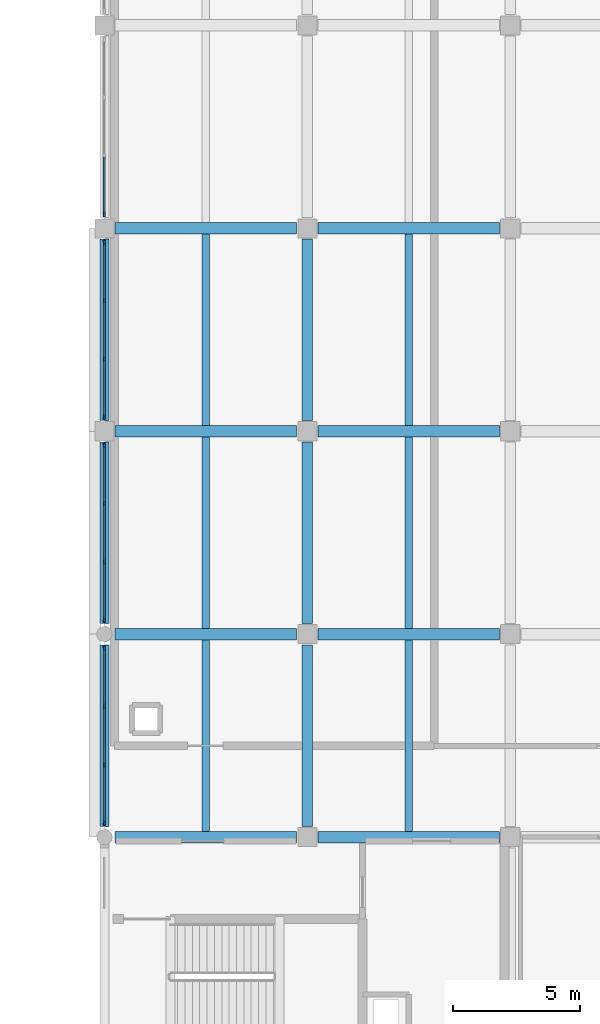
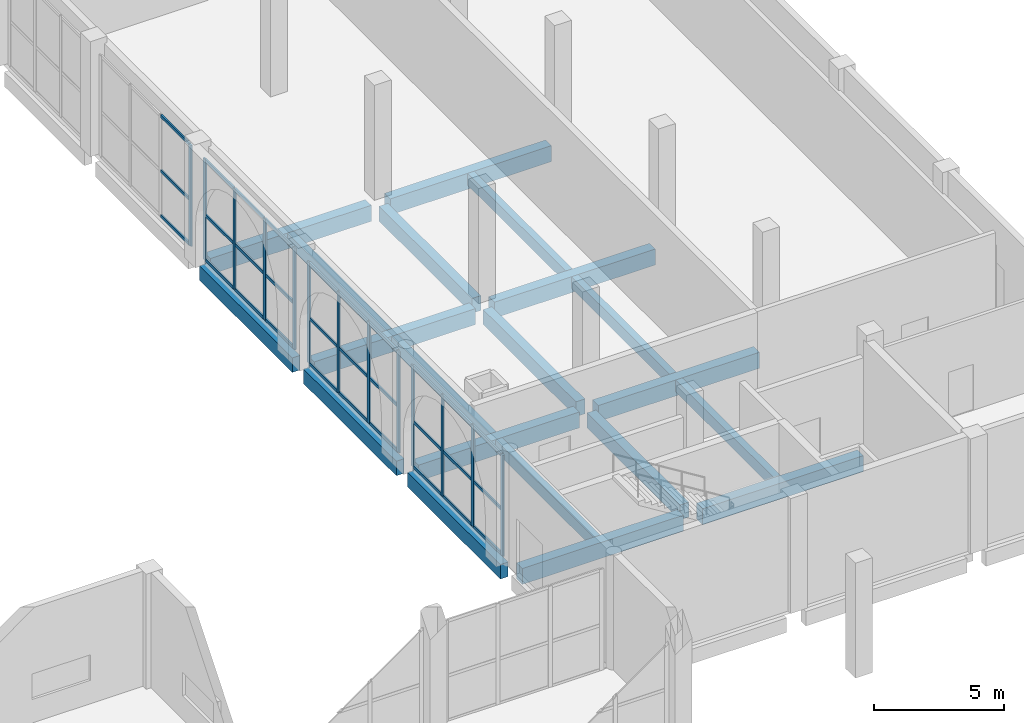
# One storey, part 9 of 40: 43 members, 20 beams, 4 elements without a shape of their own.
"""IFC4 building model written with IfcOpenShell, lengths in metres."""

import ifcopenshell
import ifcopenshell.guid

model = None  # the IFC model being written
_history = None  # IfcOwnerHistory: only IFC2X3 demands one
_inside = {}  # id of a spatial element -> (the spatial element, [elements in it])
_under = {}  # id of a project, library or spatial element -> (it, [spatial elements below it])
_declared = {}  # id of a project -> (the project, [libraries it declares])
_typed = {}  # id of a type object -> (the type object, [elements of that type])
_made_of = {}  # id of a material, layer set ... -> (it, [elements and type objects made of it])


def new_model(schema):
    """Start an empty IFC model of exactly this schema.

    Asked for "IFC4X3", IfcOpenShell would pick the latest addendum, in which some entities
    have other attributes; the version numbers below select the first issue.
    IFC2X3 requires an IfcOwnerHistory on every rooted entity: one is made here for all.
    """
    global model, _history
    if schema == "IFC4X3":
        model = ifcopenshell.file(schema_version=(4, 3, 0, 0))
    else:
        model = ifcopenshell.file(schema=schema)
    _inside.clear()
    _under.clear()
    _declared.clear()
    _typed.clear()
    _made_of.clear()
    _history = None
    if model.schema == "IFC2X3":
        org = make("IfcOrganization", Name="unknown")
        user = make(
            "IfcPersonAndOrganization",
            ThePerson=make("IfcPerson", FamilyName="unknown"),
            TheOrganization=org,
        )
        app = make(
            "IfcApplication",
            ApplicationDeveloper=org,
            Version="unknown",
            ApplicationFullName="unknown",
            ApplicationIdentifier="unknown",
        )
        _history = make(
            "IfcOwnerHistory",
            OwningUser=user,
            OwningApplication=app,
            ChangeAction="ADDED",
            CreationDate=0,
        )
    return model


def make(cls, **values):
    """One entity of the class cls with the attributes given. An attribute that is None is left unset."""
    return model.create_entity(
        cls, **{name: value for name, value in values.items() if value is not None}
    )


def rooted(cls, **values):
    """An entity with a GlobalId (a new one), such as an element, a storey or a relation."""
    return make(cls, GlobalId=ifcopenshell.guid.new(), OwnerHistory=_history, **values)


def si_unit(unit_type, name, prefix=None):
    """IfcSIUnit, for example si_unit("LENGTHUNIT", "METRE", prefix="MILLI")."""
    return make("IfcSIUnit", UnitType=unit_type, Prefix=prefix, Name=name)


def assignment(units):
    """IfcUnitAssignment: the units of a project."""
    return None if units is None else make("IfcUnitAssignment", Units=units)


def point(xyz):
    """IfcCartesianPoint."""
    return None if xyz is None else make("IfcCartesianPoint", Coordinates=xyz)


def direction(xyz):
    """IfcDirection."""
    return None if xyz is None else make("IfcDirection", DirectionRatios=xyz)


def frame(location, z_axis=None, x_axis=None):
    """IfcAxis2Placement3D, a coordinate frame: its origin and axes. An axis left out is left unset."""
    return make(
        "IfcAxis2Placement3D",
        Location=point(location),
        Axis=direction(z_axis),
        RefDirection=direction(x_axis),
    )


def frame_2d(location, x_axis=None):
    """IfcAxis2Placement2D, a coordinate frame in the plane: its origin and x axis."""
    return make(
        "IfcAxis2Placement2D", Location=point(location), RefDirection=direction(x_axis)
    )


def origin():
    """The frame at (0, 0, 0) with its axes left unset."""
    return frame((0.0, 0.0, 0.0))


def origin_2d():
    """The frame at (0, 0) in the plane with its x axis left unset."""
    return frame_2d((0.0, 0.0))


def place(relative_to, where):
    """IfcLocalPlacement: puts the frame where relative to a parent placement (None: the world)."""
    return make(
        "IfcLocalPlacement", PlacementRelTo=relative_to, RelativePlacement=where
    )


def context(
    kind, dimensions, precision=None, world=None, true_north=None, identifier=None
):
    """IfcGeometricRepresentationContext, for example the 3D "Model" context."""
    return make(
        "IfcGeometricRepresentationContext",
        ContextIdentifier=identifier,
        ContextType=kind,
        CoordinateSpaceDimension=dimensions,
        Precision=precision,
        WorldCoordinateSystem=world,
        TrueNorth=true_north,
    )


def subcontext(parent, identifier, kind, view, scale=None):
    """IfcGeometricRepresentationSubContext, for example "Body" below "Model"."""
    return make(
        "IfcGeometricRepresentationSubContext",
        ContextIdentifier=identifier,
        ContextType=kind,
        ParentContext=parent,
        TargetScale=scale,
        TargetView=view,
    )


def project(units=None, contexts=None):
    """IfcProject with its units and contexts."""
    return rooted(
        "IfcProject",
        Name="project",
        RepresentationContexts=contexts,
        UnitsInContext=assignment(units),
    )


def spatial(cls, under=None, at=None, **own):
    """A site, building, storey or space (cls), placed at a placement, below another one or the project."""
    s = rooted(cls, ObjectPlacement=at, **own)
    if under is not None:
        _under.setdefault(under.id(), (under, []))[1].append(s)
    return s


def profile(cls, at=None, kind="AREA", **sizes):
    """A parametric profile (cls). Its sizes go by their IFC names, for example OverallWidth=200.0."""
    return make(cls, ProfileType=kind, Position=at, **sizes)


def rectangle(**sizes):
    """IfcRectangleProfileDef."""
    return profile("IfcRectangleProfileDef", **sizes)


def extrude(swept, where, along, depth):
    """IfcExtrudedAreaSolid: the profile swept, set in the frame where, extruded along a direction by depth."""
    return make(
        "IfcExtrudedAreaSolid",
        SweptArea=swept,
        Position=where,
        ExtrudedDirection=direction(along),
        Depth=depth,
    )


def shape(context_of_items, identifier, shape_type, items):
    """IfcShapeRepresentation: the items that make up one representation, for example the "Body"."""
    return make(
        "IfcShapeRepresentation",
        ContextOfItems=context_of_items,
        RepresentationIdentifier=identifier,
        RepresentationType=shape_type,
        Items=items,
    )


def material(Name=None, Category=None):
    """IfcMaterial."""
    return make("IfcMaterial", Name=Name, Category=Category)


def layer(
    of_material, thickness, ventilated=None, Name=None, Category=None, Priority=None
):
    """IfcMaterialLayer: one layer of a wall or slab, of a material (None: an air gap)."""
    return make(
        "IfcMaterialLayer",
        Material=of_material,
        LayerThickness=thickness,
        IsVentilated=ventilated,
        Name=Name,
        Category=Category,
        Priority=Priority,
    )


def layer_set(layers, Name=None):
    """IfcMaterialLayerSet."""
    return make("IfcMaterialLayerSet", MaterialLayers=layers, LayerSetName=Name)


def material_profile(
    of_material, cross_section, Name=None, Category=None, Priority=None
):
    """IfcMaterialProfile: a cross section and its material."""
    return make(
        "IfcMaterialProfile",
        Name=Name,
        Material=of_material,
        Profile=cross_section,
        Priority=Priority,
        Category=Category,
    )


def profile_set(profiles, Name=None, composite=None):
    """IfcMaterialProfileSet."""
    return make(
        "IfcMaterialProfileSet",
        Name=Name,
        MaterialProfiles=profiles,
        CompositeProfile=composite,
    )


def made_of(thing, what):
    """Note that an element or type object is made of a material, layer set ...; save() writes the relation."""
    if what is not None:
        _made_of.setdefault(what.id(), (what, []))[1].append(thing)
    return thing


def type_object(cls, material=None, **own):
    """A type object (cls), such as IfcWallType, which elements share."""
    return made_of(rooted(cls, **own), material)


def element(
    cls,
    number,
    at=None,
    inside=None,
    cuts=None,
    type_object=None,
    material=None,
    context=None,
    identifier="Body",
    shape_type=None,
    held_by="IfcProductDefinitionShape",
    body=None,
    shapes=None,
    **own,
):
    """One element of the class cls, such as IfcWall. Its Tag is "e" and its number.

    at: its placement. inside: the storey or other place that contains it. cuts: it is an
    opening in that element (IfcRelVoidsElement). A single representation is given by context,
    identifier, shape_type and body (its items); several are given by shapes. held_by: the class
    of the entity that holds the representations. save() writes the other relations.
    """
    e = rooted(cls, Tag="e%d" % number, ObjectPlacement=at, **own)
    if body is not None:
        shapes = [shape(context, identifier, shape_type, body)]
    if shapes is not None:
        e.Representation = make(held_by, Representations=shapes)
    if inside is not None:
        _inside.setdefault(inside.id(), (inside, []))[1].append(e)
    if cuts is not None:
        rooted(
            "IfcRelVoidsElement", RelatingBuildingElement=cuts, RelatedOpeningElement=e
        )
    if type_object is not None:
        _typed.setdefault(type_object.id(), (type_object, []))[1].append(e)
    return made_of(e, material)


def aggregate(whole, parts):
    """IfcRelAggregates: a whole, such as a stair, and the parts it consists of."""
    return rooted("IfcRelAggregates", RelatingObject=whole, RelatedObjects=parts)


def save(model, path):
    """Write the relations noted so far, then the file.

    IfcRelAggregates (storeys below a building ...), IfcRelContainedInSpatialStructure (elements
    in a storey), IfcRelDefinesByType, IfcRelAssociatesMaterial and IfcRelDeclares: one each for
    every whole, place, type object, material and project.
    """
    for whole, parts in _under.values():
        aggregate(whole, parts)
    for where, things in _inside.values():
        rooted(
            "IfcRelContainedInSpatialStructure",
            RelatedElements=things,
            RelatingStructure=where,
        )
    for kind, things in _typed.values():
        rooted("IfcRelDefinesByType", RelatedObjects=things, RelatingType=kind)
    for what, things in _made_of.values():
        rooted("IfcRelAssociatesMaterial", RelatedObjects=things, RelatingMaterial=what)
    for by, libraries in _declared.values():
        rooted("IfcRelDeclares", RelatingContext=by, RelatedDefinitions=libraries)
    model.write(path)


model = new_model("IFC4")

# Units and contexts
model_context = context("Model", 3, precision=1e-05, world=origin(), true_north=direction((0.0, 1.0)))
body_context = subcontext(model_context, "Body", "Model", "MODEL_VIEW")
ifc_project = project(units=[si_unit("LENGTHUNIT", "METRE"), si_unit("AREAUNIT", "SQUARE_METRE"), si_unit("VOLUMEUNIT", "CUBIC_METRE"), si_unit("PLANEANGLEUNIT", "RADIAN"), si_unit("MASSUNIT", "GRAM", prefix="KILO")], contexts=[model_context])

# Site, building, storey
site_placement = place(None, origin())
site = spatial("IfcSite", under=ifc_project, at=site_placement, CompositionType="ELEMENT")
building_placement = place(site_placement, origin())
building = spatial("IfcBuilding", under=site, at=building_placement, Name="Qorikala Patio Media Centre", CompositionType="ELEMENT")
storey_placement = place(building_placement, origin())
storey = spatial("IfcBuildingStorey", under=building, at=storey_placement, Name="L00", CompositionType="ELEMENT", Elevation=0.0)

# Beams
ifc_material_1 = material(Name="Concrete C35/45", Category="concrete")
ifc_material_profile_1 = material_profile(ifc_material_1, rectangle(XDim=0.39990234375, YDim=0.699951171875, at=origin_2d()), Name="RC 400x700")
ifc_profile_set_1 = profile_set([ifc_material_profile_1], Name="Concrete C35/45")
beam_type_1 = type_object("IfcBeamType", Name="BM-G400X700", PredefinedType="BEAM", material=ifc_profile_set_1)
for number, where, z_axis, x_axis, name in (
    (1, (59.0, 72.425048828125, -0.64990234375), (0.0, 1.0, 0.0), (-1.0, 0.0, 0.0), "L00 Grid X=59 Beam 0240"),
    (2, (59.0, 80.425048828125, -0.64990234375), (0.0, 1.0, 0.0), (-1.0, 0.0, 0.0), "L00 Grid X=59 Beam 0241"),
    (3, (59.0, 88.425048828125, -0.64990234375), (0.0, 1.0, 0.0), (-1.0, 0.0, 0.0), "L00 Grid X=59 Beam 0242"),
):
    element("IfcBeam", number, at=place(storey_placement, frame(where, z_axis=z_axis, x_axis=x_axis)), inside=storey, type_object=beam_type_1, Name=name, PredefinedType="BEAM", context=body_context, shape_type="SweptSolid", body=[
        extrude(rectangle(XDim=0.39990234375, YDim=0.699951171875, at=origin_2d()), origin(), (0.0, 0.0, 1.0), 7.14990234375),
    ])
ifc_material_profile_2 = material_profile(ifc_material_1, rectangle(XDim=0.449951171875, YDim=0.75, at=origin_2d()), Name="RC 450x750")
ifc_profile_set_2 = profile_set([ifc_material_profile_2], Name="Concrete C35/45")
beam_type_2 = type_object("IfcBeamType", Name="BM-G450X750", PredefinedType="BEAM", material=ifc_profile_set_2)
for number, where, z_axis, x_axis, name in (
    (4, (51.425048828125, 72.0, -0.675048828125), (1.0, 0.0, 0.0), (0.0, 1.0, 0.0), "L00 Grid 72 Beam 0121"),
    (5, (59.425048828125, 72.0, -0.675048828125), (1.0, 0.0, 0.0), (0.0, 1.0, 0.0), "L00 Grid 72 Beam 0122"),
    (6, (51.425048828125, 80.0, -0.675048828125), (1.0, 0.0, 0.0), (0.0, 1.0, 0.0), "L00 Grid 80 Beam 0127"),
    (7, (59.425048828125, 80.0, -0.675048828125), (1.0, 0.0, 0.0), (0.0, 1.0, 0.0), "L00 Grid 80 Beam 0128"),
    (8, (51.425048828125, 88.0, -0.675048828125), (1.0, 0.0, 0.0), (0.0, 1.0, 0.0), "L00 Grid 88 Beam 0133"),
    (9, (59.425048828125, 88.0, -0.675048828125), (1.0, 0.0, 0.0), (0.0, 1.0, 0.0), "L00 Grid 88 Beam 0134"),
    (10, (51.425048828125, 96.0, -0.675048828125), (1.0, 0.0, 0.0), (0.0, 1.0, 0.0), "L00 Grid 96 Beam 0139"),
    (11, (59.425048828125, 96.0, -0.675048828125), (1.0, 0.0, 0.0), (0.0, 1.0, 0.0), "L00 Grid 96 Beam 0140"),
):
    element("IfcBeam", number, at=place(storey_placement, frame(where, z_axis=z_axis, x_axis=x_axis)), inside=storey, type_object=beam_type_2, Name=name, PredefinedType="BEAM", context=body_context, shape_type="SweptSolid", body=[
        extrude(rectangle(XDim=0.449951171875, YDim=0.75, at=origin_2d()), origin(), (0.0, 0.0, 1.0), 7.14990234375),
    ])

# Curtain wall, members
ifc_material_2 = material(Name="Bronze Anodised Aluminium and Low-E Glass", Category="aluminium")
ifc_layer = layer(ifc_material_2, 0.159912109375)
ifc_layer_set = layer_set([ifc_layer], Name="Bronze Anodised Aluminium and Low-E Glass")
curtain_wall_type = type_object("IfcCurtainWallType", Name="CW-PAT-696X475", PredefinedType="USERDEFINED", material=ifc_layer_set)
curtain_wall_1_placement = place(storey_placement, origin())
curtain_wall_1 = element("IfcCurtainWall", 12, at=curtain_wall_1_placement, inside=storey, type_object=curtain_wall_type, Name="L00 Courtyard Curtain Wall 010", ObjectType="COURTYARD CURTAIN WALL", PredefinedType="USERDEFINED")
ifc_material_3 = material(Name="Bronze Anodised Aluminium", Category="aluminium")
ifc_material_profile_3 = material_profile(ifc_material_3, rectangle(XDim=0.070068359375, YDim=0.179931640625, at=origin_2d()), Name="ALU MULLION 70x180")
ifc_profile_set_3 = profile_set([ifc_material_profile_3], Name="Bronze Anodised Aluminium")
member_type_1 = type_object("IfcMemberType", Name="CWM-70X180", PredefinedType="MULLION", material=ifc_profile_set_3)
member_1_placement = place(storey_placement, frame((51.0, 72.554931640625, 0.0), z_axis=(0.0, 0.0, 1.0), x_axis=(-1.0, 0.0, 0.0)))
member_1 = element("IfcMember", 13, at=member_1_placement, type_object=member_type_1, Name="CWP696475 mullion 1", PredefinedType="MULLION", context=body_context, shape_type="SweptSolid", body=[
    extrude(rectangle(XDim=0.070068359375, YDim=0.179931640625, at=origin_2d()), origin(), (0.0, 0.0, 1.0), 4.75),
])
member_2_placement = place(storey_placement, frame((51.0, 74.840087890625, 0.0), z_axis=(0.0, 0.0, 1.0), x_axis=(-1.0, 0.0, 0.0)))
member_2 = element("IfcMember", 14, at=member_2_placement, type_object=member_type_1, Name="CWP696475 mullion 2", PredefinedType="MULLION", context=body_context, shape_type="SweptSolid", body=[
    extrude(rectangle(XDim=0.070068359375, YDim=0.179931640625, at=origin_2d()), origin(), (0.0, 0.0, 1.0), 4.75),
])
member_3_placement = place(storey_placement, frame((51.0, 77.159912109375, 0.0), z_axis=(0.0, 0.0, 1.0), x_axis=(-1.0, 0.0, 0.0)))
member_3 = element("IfcMember", 15, at=member_3_placement, type_object=member_type_1, Name="CWP696475 mullion 3", PredefinedType="MULLION", context=body_context, shape_type="SweptSolid", body=[
    extrude(rectangle(XDim=0.070068359375, YDim=0.179931640625, at=origin_2d()), origin(), (0.0, 0.0, 1.0), 4.75),
])
member_4_placement = place(storey_placement, frame((51.0, 79.445068359375, 0.0), z_axis=(0.0, 0.0, 1.0), x_axis=(-1.0, 0.0, 0.0)))
member_4 = element("IfcMember", 16, at=member_4_placement, type_object=member_type_1, Name="CWP696475 mullion 4", PredefinedType="MULLION", context=body_context, shape_type="SweptSolid", body=[
    extrude(rectangle(XDim=0.070068359375, YDim=0.179931640625, at=origin_2d()), origin(), (0.0, 0.0, 1.0), 4.75),
])

curtain_wall_2_placement = place(storey_placement, origin())
curtain_wall_2 = element("IfcCurtainWall", 17, at=curtain_wall_2_placement, inside=storey, type_object=curtain_wall_type, Name="L00 Courtyard Curtain Wall 011", ObjectType="COURTYARD CURTAIN WALL", PredefinedType="USERDEFINED")
member_5_placement = place(storey_placement, frame((51.0, 80.554931640625, 0.0), z_axis=(0.0, 0.0, 1.0), x_axis=(-1.0, 0.0, 0.0)))
member_5 = element("IfcMember", 18, at=member_5_placement, type_object=member_type_1, Name="CWP696475 mullion 1", PredefinedType="MULLION", context=body_context, shape_type="SweptSolid", body=[
    extrude(rectangle(XDim=0.070068359375, YDim=0.179931640625, at=origin_2d()), origin(), (0.0, 0.0, 1.0), 4.75),
])
member_6_placement = place(storey_placement, frame((51.0, 82.840087890625, 0.0), z_axis=(0.0, 0.0, 1.0), x_axis=(-1.0, 0.0, 0.0)))
member_6 = element("IfcMember", 19, at=member_6_placement, type_object=member_type_1, Name="CWP696475 mullion 2", PredefinedType="MULLION", context=body_context, shape_type="SweptSolid", body=[
    extrude(rectangle(XDim=0.070068359375, YDim=0.179931640625, at=origin_2d()), origin(), (0.0, 0.0, 1.0), 4.75),
])
member_7_placement = place(storey_placement, frame((51.0, 85.159912109375, 0.0), z_axis=(0.0, 0.0, 1.0), x_axis=(-1.0, 0.0, 0.0)))
member_7 = element("IfcMember", 20, at=member_7_placement, type_object=member_type_1, Name="CWP696475 mullion 3", PredefinedType="MULLION", context=body_context, shape_type="SweptSolid", body=[
    extrude(rectangle(XDim=0.070068359375, YDim=0.179931640625, at=origin_2d()), origin(), (0.0, 0.0, 1.0), 4.75),
])
member_8_placement = place(storey_placement, frame((51.0, 87.445068359375, 0.0), z_axis=(0.0, 0.0, 1.0), x_axis=(-1.0, 0.0, 0.0)))
member_8 = element("IfcMember", 21, at=member_8_placement, type_object=member_type_1, Name="CWP696475 mullion 4", PredefinedType="MULLION", context=body_context, shape_type="SweptSolid", body=[
    extrude(rectangle(XDim=0.070068359375, YDim=0.179931640625, at=origin_2d()), origin(), (0.0, 0.0, 1.0), 4.75),
])

curtain_wall_3_placement = place(storey_placement, origin())
curtain_wall_3 = element("IfcCurtainWall", 22, at=curtain_wall_3_placement, inside=storey, type_object=curtain_wall_type, Name="L00 Courtyard Curtain Wall 012", ObjectType="COURTYARD CURTAIN WALL", PredefinedType="USERDEFINED")
member_9_placement = place(storey_placement, frame((51.0, 88.554931640625, 0.0), z_axis=(0.0, 0.0, 1.0), x_axis=(-1.0, 0.0, 0.0)))
member_9 = element("IfcMember", 23, at=member_9_placement, type_object=member_type_1, Name="CWP696475 mullion 1", PredefinedType="MULLION", context=body_context, shape_type="SweptSolid", body=[
    extrude(rectangle(XDim=0.070068359375, YDim=0.179931640625, at=origin_2d()), origin(), (0.0, 0.0, 1.0), 4.75),
])
member_10_placement = place(storey_placement, frame((51.0, 90.840087890625, 0.0), z_axis=(0.0, 0.0, 1.0), x_axis=(-1.0, 0.0, 0.0)))
member_10 = element("IfcMember", 24, at=member_10_placement, type_object=member_type_1, Name="CWP696475 mullion 2", PredefinedType="MULLION", context=body_context, shape_type="SweptSolid", body=[
    extrude(rectangle(XDim=0.070068359375, YDim=0.179931640625, at=origin_2d()), origin(), (0.0, 0.0, 1.0), 4.75),
])
member_11_placement = place(storey_placement, frame((51.0, 93.159912109375, 0.0), z_axis=(0.0, 0.0, 1.0), x_axis=(-1.0, 0.0, 0.0)))
member_11 = element("IfcMember", 25, at=member_11_placement, type_object=member_type_1, Name="CWP696475 mullion 3", PredefinedType="MULLION", context=body_context, shape_type="SweptSolid", body=[
    extrude(rectangle(XDim=0.070068359375, YDim=0.179931640625, at=origin_2d()), origin(), (0.0, 0.0, 1.0), 4.75),
])
member_12_placement = place(storey_placement, frame((51.0, 95.445068359375, 0.0), z_axis=(0.0, 0.0, 1.0), x_axis=(-1.0, 0.0, 0.0)))
member_12 = element("IfcMember", 26, at=member_12_placement, type_object=member_type_1, Name="CWP696475 mullion 4", PredefinedType="MULLION", context=body_context, shape_type="SweptSolid", body=[
    extrude(rectangle(XDim=0.070068359375, YDim=0.179931640625, at=origin_2d()), origin(), (0.0, 0.0, 1.0), 4.75),
])

# Curtain wall, member
curtain_wall_4_placement = place(storey_placement, origin())
curtain_wall_4 = element("IfcCurtainWall", 27, at=curtain_wall_4_placement, inside=storey, type_object=curtain_wall_type, Name="L00 Courtyard Curtain Wall 013", ObjectType="COURTYARD CURTAIN WALL", PredefinedType="USERDEFINED")
member_13_placement = place(storey_placement, frame((51.0, 96.554931640625, 0.0), z_axis=(0.0, 0.0, 1.0), x_axis=(-1.0, 0.0, 0.0)))
member_13 = element("IfcMember", 28, at=member_13_placement, type_object=member_type_1, Name="CWP696475 mullion 1", PredefinedType="MULLION", context=body_context, shape_type="SweptSolid", body=[
    extrude(rectangle(XDim=0.070068359375, YDim=0.179931640625, at=origin_2d()), origin(), (0.0, 0.0, 1.0), 4.75),
])

# Member
ifc_material_profile_4 = material_profile(ifc_material_3, rectangle(XDim=0.070068359375, YDim=0.139892578125, at=origin_2d()), Name="ALU TRANSOM 70x140")
ifc_profile_set_4 = profile_set([ifc_material_profile_4], Name="Bronze Anodised Aluminium")
member_type_2 = type_object("IfcMemberType", Name="CWT-70X140", PredefinedType="USERDEFINED", material=ifc_profile_set_4)
member_14_placement = place(storey_placement, frame((51.0, 72.590087890625, 0.034912109375), z_axis=(0.0, 1.0, 0.0), x_axis=(-1.0, 0.0, 0.0)))
member_14 = element("IfcMember", 29, at=member_14_placement, type_object=member_type_2, Name="CWP696475 transom 1.1", ObjectType="TRANSOM", PredefinedType="USERDEFINED", context=body_context, shape_type="SweptSolid", body=[
    extrude(rectangle(XDim=0.070068359375, YDim=0.139892578125, at=origin_2d()), origin(), (0.0, 0.0, 1.0), 2.21484375),
])

member_15_placement = place(storey_placement, frame((51.0, 72.590087890625, 2.137451171875), z_axis=(0.0, 1.0, 0.0), x_axis=(-1.0, 0.0, 0.0)))
member_15 = element("IfcMember", 30, at=member_15_placement, type_object=member_type_2, Name="CWP696475 transom 1.2", ObjectType="TRANSOM", PredefinedType="USERDEFINED", context=body_context, shape_type="SweptSolid", body=[
    extrude(rectangle(XDim=0.070068359375, YDim=0.139892578125, at=origin_2d()), origin(), (0.0, 0.0, 1.0), 2.21484375),
])

member_16_placement = place(storey_placement, frame((51.0, 72.590087890625, 4.715087890625), z_axis=(0.0, 1.0, 0.0), x_axis=(-1.0, 0.0, 0.0)))
member_16 = element("IfcMember", 31, at=member_16_placement, type_object=member_type_2, Name="CWP696475 transom 1.3", ObjectType="TRANSOM", PredefinedType="USERDEFINED", context=body_context, shape_type="SweptSolid", body=[
    extrude(rectangle(XDim=0.070068359375, YDim=0.139892578125, at=origin_2d()), origin(), (0.0, 0.0, 1.0), 2.21484375),
])

member_17_placement = place(storey_placement, frame((51.0, 74.875, 0.034912109375), z_axis=(0.0, 1.0, 0.0), x_axis=(-1.0, 0.0, 0.0)))
member_17 = element("IfcMember", 32, at=member_17_placement, type_object=member_type_2, Name="CWP696475 transom 2.1", ObjectType="TRANSOM", PredefinedType="USERDEFINED", context=body_context, shape_type="SweptSolid", body=[
    extrude(rectangle(XDim=0.070068359375, YDim=0.139892578125, at=origin_2d()), origin(), (0.0, 0.0, 1.0), 2.25),
])

member_18_placement = place(storey_placement, frame((51.0, 74.875, 2.137451171875), z_axis=(0.0, 1.0, 0.0), x_axis=(-1.0, 0.0, 0.0)))
member_18 = element("IfcMember", 33, at=member_18_placement, type_object=member_type_2, Name="CWP696475 transom 2.2", ObjectType="TRANSOM", PredefinedType="USERDEFINED", context=body_context, shape_type="SweptSolid", body=[
    extrude(rectangle(XDim=0.070068359375, YDim=0.139892578125, at=origin_2d()), origin(), (0.0, 0.0, 1.0), 2.25),
])

member_19_placement = place(storey_placement, frame((51.0, 74.875, 4.715087890625), z_axis=(0.0, 1.0, 0.0), x_axis=(-1.0, 0.0, 0.0)))
member_19 = element("IfcMember", 34, at=member_19_placement, type_object=member_type_2, Name="CWP696475 transom 2.3", ObjectType="TRANSOM", PredefinedType="USERDEFINED", context=body_context, shape_type="SweptSolid", body=[
    extrude(rectangle(XDim=0.070068359375, YDim=0.139892578125, at=origin_2d()), origin(), (0.0, 0.0, 1.0), 2.25),
])

member_20_placement = place(storey_placement, frame((51.0, 77.195068359375, 0.034912109375), z_axis=(0.0, 1.0, 0.0), x_axis=(-1.0, 0.0, 0.0)))
member_20 = element("IfcMember", 35, at=member_20_placement, type_object=member_type_2, Name="CWP696475 transom 3.1", ObjectType="TRANSOM", PredefinedType="USERDEFINED", context=body_context, shape_type="SweptSolid", body=[
    extrude(rectangle(XDim=0.070068359375, YDim=0.139892578125, at=origin_2d()), origin(), (0.0, 0.0, 1.0), 2.21484375),
])

member_21_placement = place(storey_placement, frame((51.0, 77.195068359375, 2.137451171875), z_axis=(0.0, 1.0, 0.0), x_axis=(-1.0, 0.0, 0.0)))
member_21 = element("IfcMember", 36, at=member_21_placement, type_object=member_type_2, Name="CWP696475 transom 3.2", ObjectType="TRANSOM", PredefinedType="USERDEFINED", context=body_context, shape_type="SweptSolid", body=[
    extrude(rectangle(XDim=0.070068359375, YDim=0.139892578125, at=origin_2d()), origin(), (0.0, 0.0, 1.0), 2.21484375),
])

member_22_placement = place(storey_placement, frame((51.0, 77.195068359375, 4.715087890625), z_axis=(0.0, 1.0, 0.0), x_axis=(-1.0, 0.0, 0.0)))
member_22 = element("IfcMember", 37, at=member_22_placement, type_object=member_type_2, Name="CWP696475 transom 3.3", ObjectType="TRANSOM", PredefinedType="USERDEFINED", context=body_context, shape_type="SweptSolid", body=[
    extrude(rectangle(XDim=0.070068359375, YDim=0.139892578125, at=origin_2d()), origin(), (0.0, 0.0, 1.0), 2.21484375),
])

aggregate(curtain_wall_1, [member_1, member_2, member_3, member_4, member_14, member_15, member_16, member_17, member_18, member_19, member_20, member_21, member_22])

member_23_placement = place(storey_placement, frame((51.0, 80.590087890625, 0.034912109375), z_axis=(0.0, 1.0, 0.0), x_axis=(-1.0, 0.0, 0.0)))
member_23 = element("IfcMember", 38, at=member_23_placement, type_object=member_type_2, Name="CWP696475 transom 1.1", ObjectType="TRANSOM", PredefinedType="USERDEFINED", context=body_context, shape_type="SweptSolid", body=[
    extrude(rectangle(XDim=0.070068359375, YDim=0.139892578125, at=origin_2d()), origin(), (0.0, 0.0, 1.0), 2.21484375),
])

member_24_placement = place(storey_placement, frame((51.0, 80.590087890625, 2.137451171875), z_axis=(0.0, 1.0, 0.0), x_axis=(-1.0, 0.0, 0.0)))
member_24 = element("IfcMember", 39, at=member_24_placement, type_object=member_type_2, Name="CWP696475 transom 1.2", ObjectType="TRANSOM", PredefinedType="USERDEFINED", context=body_context, shape_type="SweptSolid", body=[
    extrude(rectangle(XDim=0.070068359375, YDim=0.139892578125, at=origin_2d()), origin(), (0.0, 0.0, 1.0), 2.21484375),
])

member_25_placement = place(storey_placement, frame((51.0, 80.590087890625, 4.715087890625), z_axis=(0.0, 1.0, 0.0), x_axis=(-1.0, 0.0, 0.0)))
member_25 = element("IfcMember", 40, at=member_25_placement, type_object=member_type_2, Name="CWP696475 transom 1.3", ObjectType="TRANSOM", PredefinedType="USERDEFINED", context=body_context, shape_type="SweptSolid", body=[
    extrude(rectangle(XDim=0.070068359375, YDim=0.139892578125, at=origin_2d()), origin(), (0.0, 0.0, 1.0), 2.21484375),
])

member_26_placement = place(storey_placement, frame((51.0, 82.875, 0.034912109375), z_axis=(0.0, 1.0, 0.0), x_axis=(-1.0, 0.0, 0.0)))
member_26 = element("IfcMember", 41, at=member_26_placement, type_object=member_type_2, Name="CWP696475 transom 2.1", ObjectType="TRANSOM", PredefinedType="USERDEFINED", context=body_context, shape_type="SweptSolid", body=[
    extrude(rectangle(XDim=0.070068359375, YDim=0.139892578125, at=origin_2d()), origin(), (0.0, 0.0, 1.0), 2.25),
])

member_27_placement = place(storey_placement, frame((51.0, 82.875, 2.137451171875), z_axis=(0.0, 1.0, 0.0), x_axis=(-1.0, 0.0, 0.0)))
member_27 = element("IfcMember", 42, at=member_27_placement, type_object=member_type_2, Name="CWP696475 transom 2.2", ObjectType="TRANSOM", PredefinedType="USERDEFINED", context=body_context, shape_type="SweptSolid", body=[
    extrude(rectangle(XDim=0.070068359375, YDim=0.139892578125, at=origin_2d()), origin(), (0.0, 0.0, 1.0), 2.25),
])

member_28_placement = place(storey_placement, frame((51.0, 82.875, 4.715087890625), z_axis=(0.0, 1.0, 0.0), x_axis=(-1.0, 0.0, 0.0)))
member_28 = element("IfcMember", 43, at=member_28_placement, type_object=member_type_2, Name="CWP696475 transom 2.3", ObjectType="TRANSOM", PredefinedType="USERDEFINED", context=body_context, shape_type="SweptSolid", body=[
    extrude(rectangle(XDim=0.070068359375, YDim=0.139892578125, at=origin_2d()), origin(), (0.0, 0.0, 1.0), 2.25),
])

member_29_placement = place(storey_placement, frame((51.0, 85.195068359375, 0.034912109375), z_axis=(0.0, 1.0, 0.0), x_axis=(-1.0, 0.0, 0.0)))
member_29 = element("IfcMember", 44, at=member_29_placement, type_object=member_type_2, Name="CWP696475 transom 3.1", ObjectType="TRANSOM", PredefinedType="USERDEFINED", context=body_context, shape_type="SweptSolid", body=[
    extrude(rectangle(XDim=0.070068359375, YDim=0.139892578125, at=origin_2d()), origin(), (0.0, 0.0, 1.0), 2.21484375),
])

member_30_placement = place(storey_placement, frame((51.0, 85.195068359375, 2.137451171875), z_axis=(0.0, 1.0, 0.0), x_axis=(-1.0, 0.0, 0.0)))
member_30 = element("IfcMember", 45, at=member_30_placement, type_object=member_type_2, Name="CWP696475 transom 3.2", ObjectType="TRANSOM", PredefinedType="USERDEFINED", context=body_context, shape_type="SweptSolid", body=[
    extrude(rectangle(XDim=0.070068359375, YDim=0.139892578125, at=origin_2d()), origin(), (0.0, 0.0, 1.0), 2.21484375),
])

member_31_placement = place(storey_placement, frame((51.0, 85.195068359375, 4.715087890625), z_axis=(0.0, 1.0, 0.0), x_axis=(-1.0, 0.0, 0.0)))
member_31 = element("IfcMember", 46, at=member_31_placement, type_object=member_type_2, Name="CWP696475 transom 3.3", ObjectType="TRANSOM", PredefinedType="USERDEFINED", context=body_context, shape_type="SweptSolid", body=[
    extrude(rectangle(XDim=0.070068359375, YDim=0.139892578125, at=origin_2d()), origin(), (0.0, 0.0, 1.0), 2.21484375),
])

aggregate(curtain_wall_2, [member_5, member_6, member_7, member_8, member_23, member_24, member_25, member_26, member_27, member_28, member_29, member_30, member_31])

member_32_placement = place(storey_placement, frame((51.0, 88.590087890625, 0.034912109375), z_axis=(0.0, 1.0, 0.0), x_axis=(-1.0, 0.0, 0.0)))
member_32 = element("IfcMember", 47, at=member_32_placement, type_object=member_type_2, Name="CWP696475 transom 1.1", ObjectType="TRANSOM", PredefinedType="USERDEFINED", context=body_context, shape_type="SweptSolid", body=[
    extrude(rectangle(XDim=0.070068359375, YDim=0.139892578125, at=origin_2d()), origin(), (0.0, 0.0, 1.0), 2.21484375),
])

member_33_placement = place(storey_placement, frame((51.0, 88.590087890625, 2.137451171875), z_axis=(0.0, 1.0, 0.0), x_axis=(-1.0, 0.0, 0.0)))
member_33 = element("IfcMember", 48, at=member_33_placement, type_object=member_type_2, Name="CWP696475 transom 1.2", ObjectType="TRANSOM", PredefinedType="USERDEFINED", context=body_context, shape_type="SweptSolid", body=[
    extrude(rectangle(XDim=0.070068359375, YDim=0.139892578125, at=origin_2d()), origin(), (0.0, 0.0, 1.0), 2.21484375),
])

member_34_placement = place(storey_placement, frame((51.0, 88.590087890625, 4.715087890625), z_axis=(0.0, 1.0, 0.0), x_axis=(-1.0, 0.0, 0.0)))
member_34 = element("IfcMember", 49, at=member_34_placement, type_object=member_type_2, Name="CWP696475 transom 1.3", ObjectType="TRANSOM", PredefinedType="USERDEFINED", context=body_context, shape_type="SweptSolid", body=[
    extrude(rectangle(XDim=0.070068359375, YDim=0.139892578125, at=origin_2d()), origin(), (0.0, 0.0, 1.0), 2.21484375),
])

member_35_placement = place(storey_placement, frame((51.0, 90.875, 0.034912109375), z_axis=(0.0, 1.0, 0.0), x_axis=(-1.0, 0.0, 0.0)))
member_35 = element("IfcMember", 50, at=member_35_placement, type_object=member_type_2, Name="CWP696475 transom 2.1", ObjectType="TRANSOM", PredefinedType="USERDEFINED", context=body_context, shape_type="SweptSolid", body=[
    extrude(rectangle(XDim=0.070068359375, YDim=0.139892578125, at=origin_2d()), origin(), (0.0, 0.0, 1.0), 2.25),
])

member_36_placement = place(storey_placement, frame((51.0, 90.875, 2.137451171875), z_axis=(0.0, 1.0, 0.0), x_axis=(-1.0, 0.0, 0.0)))
member_36 = element("IfcMember", 51, at=member_36_placement, type_object=member_type_2, Name="CWP696475 transom 2.2", ObjectType="TRANSOM", PredefinedType="USERDEFINED", context=body_context, shape_type="SweptSolid", body=[
    extrude(rectangle(XDim=0.070068359375, YDim=0.139892578125, at=origin_2d()), origin(), (0.0, 0.0, 1.0), 2.25),
])

member_37_placement = place(storey_placement, frame((51.0, 90.875, 4.715087890625), z_axis=(0.0, 1.0, 0.0), x_axis=(-1.0, 0.0, 0.0)))
member_37 = element("IfcMember", 52, at=member_37_placement, type_object=member_type_2, Name="CWP696475 transom 2.3", ObjectType="TRANSOM", PredefinedType="USERDEFINED", context=body_context, shape_type="SweptSolid", body=[
    extrude(rectangle(XDim=0.070068359375, YDim=0.139892578125, at=origin_2d()), origin(), (0.0, 0.0, 1.0), 2.25),
])

member_38_placement = place(storey_placement, frame((51.0, 93.195068359375, 0.034912109375), z_axis=(0.0, 1.0, 0.0), x_axis=(-1.0, 0.0, 0.0)))
member_38 = element("IfcMember", 53, at=member_38_placement, type_object=member_type_2, Name="CWP696475 transom 3.1", ObjectType="TRANSOM", PredefinedType="USERDEFINED", context=body_context, shape_type="SweptSolid", body=[
    extrude(rectangle(XDim=0.070068359375, YDim=0.139892578125, at=origin_2d()), origin(), (0.0, 0.0, 1.0), 2.21484375),
])

member_39_placement = place(storey_placement, frame((51.0, 93.195068359375, 2.137451171875), z_axis=(0.0, 1.0, 0.0), x_axis=(-1.0, 0.0, 0.0)))
member_39 = element("IfcMember", 54, at=member_39_placement, type_object=member_type_2, Name="CWP696475 transom 3.2", ObjectType="TRANSOM", PredefinedType="USERDEFINED", context=body_context, shape_type="SweptSolid", body=[
    extrude(rectangle(XDim=0.070068359375, YDim=0.139892578125, at=origin_2d()), origin(), (0.0, 0.0, 1.0), 2.21484375),
])

member_40_placement = place(storey_placement, frame((51.0, 93.195068359375, 4.715087890625), z_axis=(0.0, 1.0, 0.0), x_axis=(-1.0, 0.0, 0.0)))
member_40 = element("IfcMember", 55, at=member_40_placement, type_object=member_type_2, Name="CWP696475 transom 3.3", ObjectType="TRANSOM", PredefinedType="USERDEFINED", context=body_context, shape_type="SweptSolid", body=[
    extrude(rectangle(XDim=0.070068359375, YDim=0.139892578125, at=origin_2d()), origin(), (0.0, 0.0, 1.0), 2.21484375),
])

aggregate(curtain_wall_3, [member_9, member_10, member_11, member_12, member_32, member_33, member_34, member_35, member_36, member_37, member_38, member_39, member_40])

member_41_placement = place(storey_placement, frame((51.0, 96.590087890625, 0.034912109375), z_axis=(0.0, 1.0, 0.0), x_axis=(-1.0, 0.0, 0.0)))
member_41 = element("IfcMember", 56, at=member_41_placement, type_object=member_type_2, Name="CWP696475 transom 1.1", ObjectType="TRANSOM", PredefinedType="USERDEFINED", context=body_context, shape_type="SweptSolid", body=[
    extrude(rectangle(XDim=0.070068359375, YDim=0.139892578125, at=origin_2d()), origin(), (0.0, 0.0, 1.0), 2.21484375),
])

member_42_placement = place(storey_placement, frame((51.0, 96.590087890625, 2.137451171875), z_axis=(0.0, 1.0, 0.0), x_axis=(-1.0, 0.0, 0.0)))
member_42 = element("IfcMember", 57, at=member_42_placement, type_object=member_type_2, Name="CWP696475 transom 1.2", ObjectType="TRANSOM", PredefinedType="USERDEFINED", context=body_context, shape_type="SweptSolid", body=[
    extrude(rectangle(XDim=0.070068359375, YDim=0.139892578125, at=origin_2d()), origin(), (0.0, 0.0, 1.0), 2.21484375),
])

member_43_placement = place(storey_placement, frame((51.0, 96.590087890625, 4.715087890625), z_axis=(0.0, 1.0, 0.0), x_axis=(-1.0, 0.0, 0.0)))
member_43 = element("IfcMember", 58, at=member_43_placement, type_object=member_type_2, Name="CWP696475 transom 1.3", ObjectType="TRANSOM", PredefinedType="USERDEFINED", context=body_context, shape_type="SweptSolid", body=[
    extrude(rectangle(XDim=0.070068359375, YDim=0.139892578125, at=origin_2d()), origin(), (0.0, 0.0, 1.0), 2.21484375),
])

aggregate(curtain_wall_4, [member_13, member_41, member_42, member_43])

# Beams
ifc_material_profile_5 = material_profile(ifc_material_1, rectangle(XDim=0.300048828125, YDim=0.550048828125, at=origin_2d()), Name="RC 300x550")
ifc_profile_set_5 = profile_set([ifc_material_profile_5], Name="Concrete C35/45")
beam_type_3 = type_object("IfcBeamType", Name="JS-300X550", PredefinedType="JOIST", material=ifc_profile_set_5)
for number, where, z_axis, x_axis, name in (
    (59, (55.0, 72.22509765625, -0.574951171875), (0.0, 1.0, 0.0), (-1.0, 0.0, 0.0), "L00 Secondary Joist 0348"),
    (60, (55.0, 80.22509765625, -0.574951171875), (0.0, 1.0, 0.0), (-1.0, 0.0, 0.0), "L00 Secondary Joist 0349"),
    (61, (55.0, 88.22509765625, -0.574951171875), (0.0, 1.0, 0.0), (-1.0, 0.0, 0.0), "L00 Secondary Joist 0350"),
    (62, (63.0, 72.22509765625, -0.574951171875), (0.0, 1.0, 0.0), (-1.0, 0.0, 0.0), "L00 Secondary Joist 0356"),
    (63, (63.0, 80.22509765625, -0.574951171875), (0.0, 1.0, 0.0), (-1.0, 0.0, 0.0), "L00 Secondary Joist 0357"),
    (64, (63.0, 88.22509765625, -0.574951171875), (0.0, 1.0, 0.0), (-1.0, 0.0, 0.0), "L00 Secondary Joist 0358"),
):
    element("IfcBeam", number, at=place(storey_placement, frame(where, z_axis=z_axis, x_axis=x_axis)), inside=storey, type_object=beam_type_3, Name=name, PredefinedType="JOIST", context=body_context, shape_type="SweptSolid", body=[
        extrude(rectangle(XDim=0.300048828125, YDim=0.550048828125, at=origin_2d()), origin(), (0.0, 0.0, 1.0), 7.5498046875),
    ])
ifc_material_profile_6 = material_profile(ifc_material_1, rectangle(XDim=0.35009765625, YDim=0.679931640625, at=origin_2d()), Name="RC 350x680")
ifc_profile_set_6 = profile_set([ifc_material_profile_6], Name="Concrete C35/45")
beam_type_4 = type_object("IfcBeamType", Name="SP-350X680", PredefinedType="SPANDREL", material=ifc_profile_set_6)
for number, where, z_axis, x_axis, name in (
    (65, (51.0, 72.425048828125, -0.639892578125), (0.0, 1.0, 0.0), (-1.0, 0.0, 0.0), "L00 Grid X=51 Beam 0232"),
    (66, (51.0, 80.425048828125, -0.639892578125), (0.0, 1.0, 0.0), (-1.0, 0.0, 0.0), "L00 Grid X=51 Beam 0233"),
    (67, (51.0, 88.425048828125, -0.639892578125), (0.0, 1.0, 0.0), (-1.0, 0.0, 0.0), "L00 Grid X=51 Beam 0234"),
):
    element("IfcBeam", number, at=place(storey_placement, frame(where, z_axis=z_axis, x_axis=x_axis)), inside=storey, type_object=beam_type_4, Name=name, PredefinedType="SPANDREL", context=body_context, shape_type="SweptSolid", body=[
        extrude(rectangle(XDim=0.35009765625, YDim=0.679931640625, at=origin_2d()), origin(), (0.0, 0.0, 1.0), 7.14990234375),
    ])

save(model, "model.ifc")
